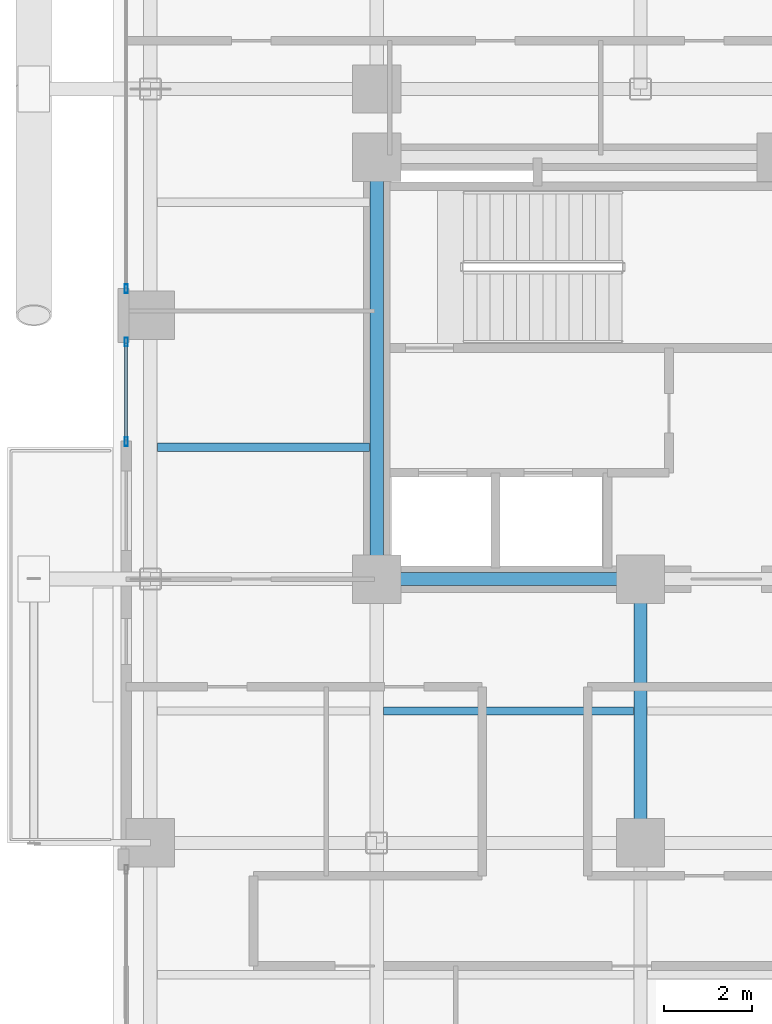
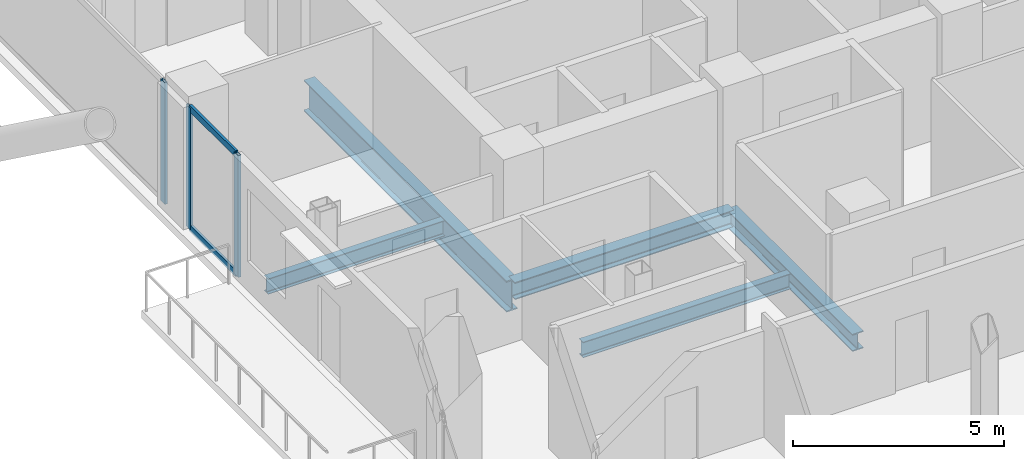
# One storey, part 6 of 24: 5 beams, 5 members, 2 elements without a shape of their own.
"""IFC4 building model written with IfcOpenShell, lengths in metres."""

import ifcopenshell
import ifcopenshell.guid

model = None  # the IFC model being written
_history = None  # IfcOwnerHistory: only IFC2X3 demands one
_inside = {}  # id of a spatial element -> (the spatial element, [elements in it])
_under = {}  # id of a project, library or spatial element -> (it, [spatial elements below it])
_declared = {}  # id of a project -> (the project, [libraries it declares])
_typed = {}  # id of a type object -> (the type object, [elements of that type])
_made_of = {}  # id of a material, layer set ... -> (it, [elements and type objects made of it])


def new_model(schema):
    """Start an empty IFC model of exactly this schema.

    Asked for "IFC4X3", IfcOpenShell would pick the latest addendum, in which some entities
    have other attributes; the version numbers below select the first issue.
    IFC2X3 requires an IfcOwnerHistory on every rooted entity: one is made here for all.
    """
    global model, _history
    if schema == "IFC4X3":
        model = ifcopenshell.file(schema_version=(4, 3, 0, 0))
    else:
        model = ifcopenshell.file(schema=schema)
    _inside.clear()
    _under.clear()
    _declared.clear()
    _typed.clear()
    _made_of.clear()
    _history = None
    if model.schema == "IFC2X3":
        org = make("IfcOrganization", Name="unknown")
        user = make(
            "IfcPersonAndOrganization",
            ThePerson=make("IfcPerson", FamilyName="unknown"),
            TheOrganization=org,
        )
        app = make(
            "IfcApplication",
            ApplicationDeveloper=org,
            Version="unknown",
            ApplicationFullName="unknown",
            ApplicationIdentifier="unknown",
        )
        _history = make(
            "IfcOwnerHistory",
            OwningUser=user,
            OwningApplication=app,
            ChangeAction="ADDED",
            CreationDate=0,
        )
    return model


def make(cls, **values):
    """One entity of the class cls with the attributes given. An attribute that is None is left unset."""
    return model.create_entity(
        cls, **{name: value for name, value in values.items() if value is not None}
    )


def rooted(cls, **values):
    """An entity with a GlobalId (a new one), such as an element, a storey or a relation."""
    return make(cls, GlobalId=ifcopenshell.guid.new(), OwnerHistory=_history, **values)


def si_unit(unit_type, name, prefix=None):
    """IfcSIUnit, for example si_unit("LENGTHUNIT", "METRE", prefix="MILLI")."""
    return make("IfcSIUnit", UnitType=unit_type, Prefix=prefix, Name=name)


def assignment(units):
    """IfcUnitAssignment: the units of a project."""
    return None if units is None else make("IfcUnitAssignment", Units=units)


def point(xyz):
    """IfcCartesianPoint."""
    return None if xyz is None else make("IfcCartesianPoint", Coordinates=xyz)


def direction(xyz):
    """IfcDirection."""
    return None if xyz is None else make("IfcDirection", DirectionRatios=xyz)


def frame(location, z_axis=None, x_axis=None):
    """IfcAxis2Placement3D, a coordinate frame: its origin and axes. An axis left out is left unset."""
    return make(
        "IfcAxis2Placement3D",
        Location=point(location),
        Axis=direction(z_axis),
        RefDirection=direction(x_axis),
    )


def frame_2d(location, x_axis=None):
    """IfcAxis2Placement2D, a coordinate frame in the plane: its origin and x axis."""
    return make(
        "IfcAxis2Placement2D", Location=point(location), RefDirection=direction(x_axis)
    )


def origin():
    """The frame at (0, 0, 0) with its axes left unset."""
    return frame((0.0, 0.0, 0.0))


def origin_2d():
    """The frame at (0, 0) in the plane with its x axis left unset."""
    return frame_2d((0.0, 0.0))


def place(relative_to, where):
    """IfcLocalPlacement: puts the frame where relative to a parent placement (None: the world)."""
    return make(
        "IfcLocalPlacement", PlacementRelTo=relative_to, RelativePlacement=where
    )


def context(
    kind, dimensions, precision=None, world=None, true_north=None, identifier=None
):
    """IfcGeometricRepresentationContext, for example the 3D "Model" context."""
    return make(
        "IfcGeometricRepresentationContext",
        ContextIdentifier=identifier,
        ContextType=kind,
        CoordinateSpaceDimension=dimensions,
        Precision=precision,
        WorldCoordinateSystem=world,
        TrueNorth=true_north,
    )


def subcontext(parent, identifier, kind, view, scale=None):
    """IfcGeometricRepresentationSubContext, for example "Body" below "Model"."""
    return make(
        "IfcGeometricRepresentationSubContext",
        ContextIdentifier=identifier,
        ContextType=kind,
        ParentContext=parent,
        TargetScale=scale,
        TargetView=view,
    )


def project(units=None, contexts=None):
    """IfcProject with its units and contexts."""
    return rooted(
        "IfcProject",
        Name="project",
        RepresentationContexts=contexts,
        UnitsInContext=assignment(units),
    )


def spatial(cls, under=None, at=None, **own):
    """A site, building, storey or space (cls), placed at a placement, below another one or the project."""
    s = rooted(cls, ObjectPlacement=at, **own)
    if under is not None:
        _under.setdefault(under.id(), (under, []))[1].append(s)
    return s


def profile(cls, at=None, kind="AREA", **sizes):
    """A parametric profile (cls). Its sizes go by their IFC names, for example OverallWidth=200.0."""
    return make(cls, ProfileType=kind, Position=at, **sizes)


def hollow_rectangle(**sizes):
    """IfcRectangleHollowProfileDef."""
    return profile("IfcRectangleHollowProfileDef", **sizes)


def i_section(**sizes):
    """IfcIShapeProfileDef."""
    return profile("IfcIShapeProfileDef", **sizes)


def extrude(swept, where, along, depth):
    """IfcExtrudedAreaSolid: the profile swept, set in the frame where, extruded along a direction by depth."""
    return make(
        "IfcExtrudedAreaSolid",
        SweptArea=swept,
        Position=where,
        ExtrudedDirection=direction(along),
        Depth=depth,
    )


def shape(context_of_items, identifier, shape_type, items):
    """IfcShapeRepresentation: the items that make up one representation, for example the "Body"."""
    return make(
        "IfcShapeRepresentation",
        ContextOfItems=context_of_items,
        RepresentationIdentifier=identifier,
        RepresentationType=shape_type,
        Items=items,
    )


def material(Name=None, Category=None):
    """IfcMaterial."""
    return make("IfcMaterial", Name=Name, Category=Category)


def layer(
    of_material, thickness, ventilated=None, Name=None, Category=None, Priority=None
):
    """IfcMaterialLayer: one layer of a wall or slab, of a material (None: an air gap)."""
    return make(
        "IfcMaterialLayer",
        Material=of_material,
        LayerThickness=thickness,
        IsVentilated=ventilated,
        Name=Name,
        Category=Category,
        Priority=Priority,
    )


def layer_set(layers, Name=None):
    """IfcMaterialLayerSet."""
    return make("IfcMaterialLayerSet", MaterialLayers=layers, LayerSetName=Name)


def material_profile(
    of_material, cross_section, Name=None, Category=None, Priority=None
):
    """IfcMaterialProfile: a cross section and its material."""
    return make(
        "IfcMaterialProfile",
        Name=Name,
        Material=of_material,
        Profile=cross_section,
        Priority=Priority,
        Category=Category,
    )


def profile_set(profiles, Name=None, composite=None):
    """IfcMaterialProfileSet."""
    return make(
        "IfcMaterialProfileSet",
        Name=Name,
        MaterialProfiles=profiles,
        CompositeProfile=composite,
    )


def made_of(thing, what):
    """Note that an element or type object is made of a material, layer set ...; save() writes the relation."""
    if what is not None:
        _made_of.setdefault(what.id(), (what, []))[1].append(thing)
    return thing


def type_object(cls, material=None, **own):
    """A type object (cls), such as IfcWallType, which elements share."""
    return made_of(rooted(cls, **own), material)


def element(
    cls,
    number,
    at=None,
    inside=None,
    cuts=None,
    type_object=None,
    material=None,
    context=None,
    identifier="Body",
    shape_type=None,
    held_by="IfcProductDefinitionShape",
    body=None,
    shapes=None,
    **own,
):
    """One element of the class cls, such as IfcWall. Its Tag is "e" and its number.

    at: its placement. inside: the storey or other place that contains it. cuts: it is an
    opening in that element (IfcRelVoidsElement). A single representation is given by context,
    identifier, shape_type and body (its items); several are given by shapes. held_by: the class
    of the entity that holds the representations. save() writes the other relations.
    """
    e = rooted(cls, Tag="e%d" % number, ObjectPlacement=at, **own)
    if body is not None:
        shapes = [shape(context, identifier, shape_type, body)]
    if shapes is not None:
        e.Representation = make(held_by, Representations=shapes)
    if inside is not None:
        _inside.setdefault(inside.id(), (inside, []))[1].append(e)
    if cuts is not None:
        rooted(
            "IfcRelVoidsElement", RelatingBuildingElement=cuts, RelatedOpeningElement=e
        )
    if type_object is not None:
        _typed.setdefault(type_object.id(), (type_object, []))[1].append(e)
    return made_of(e, material)


def aggregate(whole, parts):
    """IfcRelAggregates: a whole, such as a stair, and the parts it consists of."""
    return rooted("IfcRelAggregates", RelatingObject=whole, RelatedObjects=parts)


def save(model, path):
    """Write the relations noted so far, then the file.

    IfcRelAggregates (storeys below a building ...), IfcRelContainedInSpatialStructure (elements
    in a storey), IfcRelDefinesByType, IfcRelAssociatesMaterial and IfcRelDeclares: one each for
    every whole, place, type object, material and project.
    """
    for whole, parts in _under.values():
        aggregate(whole, parts)
    for where, things in _inside.values():
        rooted(
            "IfcRelContainedInSpatialStructure",
            RelatedElements=things,
            RelatingStructure=where,
        )
    for kind, things in _typed.values():
        rooted("IfcRelDefinesByType", RelatedObjects=things, RelatingType=kind)
    for what, things in _made_of.values():
        rooted("IfcRelAssociatesMaterial", RelatedObjects=things, RelatingMaterial=what)
    for by, libraries in _declared.values():
        rooted("IfcRelDeclares", RelatingContext=by, RelatedDefinitions=libraries)
    model.write(path)


model = new_model("IFC4")

# Units and contexts
model_context = context("Model", 3, precision=1e-05, world=origin(), true_north=direction((0.0, 1.0)))
body_context = subcontext(model_context, "Body", "Model", "MODEL_VIEW")
ifc_project = project(units=[si_unit("LENGTHUNIT", "METRE"), si_unit("AREAUNIT", "SQUARE_METRE"), si_unit("VOLUMEUNIT", "CUBIC_METRE"), si_unit("PLANEANGLEUNIT", "RADIAN"), si_unit("MASSUNIT", "GRAM", prefix="KILO"), si_unit("THERMODYNAMICTEMPERATUREUNIT", "KELVIN"), si_unit("POWERUNIT", "WATT")], contexts=[model_context])

# Site, building, storey
site_placement = place(None, origin())
site = spatial("IfcSite", under=ifc_project, at=site_placement, CompositionType="ELEMENT")
building_placement = place(site_placement, origin())
building = spatial("IfcBuilding", under=site, at=building_placement, Name="Svarakhadi Broadcast Tower", CompositionType="ELEMENT")
storey_placement = place(building_placement, frame((0.0, 0.0, 141.89990234375)))
storey = spatial("IfcBuildingStorey", under=building, at=storey_placement, Name="L34", CompositionType="ELEMENT", Elevation=141.89990234375)

# Beams
ifc_material_1 = material(Name="Steel S355J2 (IS 2062 E350C)", Category="steel")
ifc_material_profile_1 = material_profile(ifc_material_1, i_section(OverallWidth=0.18994140625, OverallDepth=0.449951171875, WebThickness=0.009521484375, FlangeThickness=0.0146484375, FilletRadius=0.02099609375, at=origin_2d()), Name="NPB 450x190x78")
ifc_profile_set_1 = profile_set([ifc_material_profile_1], Name="Steel S355J2 (IS 2062 E350C)")
beam_type_1 = type_object("IfcBeamType", Name="Beam_NPB450", PredefinedType="BEAM", material=ifc_profile_set_1)
beam_1_placement = place(storey_placement, frame((1.010009765625, 21.0, -0.449951171875), z_axis=(1.0, 0.0, 0.0), x_axis=(0.0, 1.0, 0.0)))
element("IfcBeam", 1, at=beam_1_placement, inside=storey, type_object=beam_type_1, Name="L34 Secondary Composite Beam SB003", PredefinedType="BEAM", context=body_context, shape_type="SweptSolid", body=[
    extrude(i_section(OverallWidth=0.18994140625, OverallDepth=0.449951171875, WebThickness=0.009521484375, FlangeThickness=0.0146484375, FilletRadius=0.02099609375, at=origin_2d()), origin(), (0.0, 0.0, 1.0), 4.830078125),
])
beam_2_placement = place(storey_placement, frame((6.159912109375, 15.0, -0.449951171875), z_axis=(1.0, 0.0, 0.0), x_axis=(0.0, 1.0, 0.0)))
element("IfcBeam", 2, at=beam_2_placement, inside=storey, type_object=beam_type_1, Name="L34 Secondary Composite Beam SB008", PredefinedType="BEAM", context=body_context, shape_type="SweptSolid", body=[
    extrude(i_section(OverallWidth=0.18994140625, OverallDepth=0.449951171875, WebThickness=0.009521484375, FlangeThickness=0.0146484375, FilletRadius=0.02099609375, at=origin_2d()), origin(), (0.0, 0.0, 1.0), 5.68017578125),
])

# Curtain wall, members
ifc_material_2 = material(Name="Anodised Bronze Aluminium AA 6063-T6", Category="aluminium")
ifc_layer = layer(ifc_material_2, 0.199951171875)
ifc_layer_set = layer_set([ifc_layer], Name="Anodised Bronze Aluminium AA 6063-T6")
curtain_wall_type = type_object("IfcCurtainWallType", Name="CW_Sys_03", PredefinedType="NOTDEFINED", material=ifc_layer_set)
curtain_wall_1_placement = place(storey_placement, origin())
curtain_wall_1 = element("IfcCurtainWall", 3, at=curtain_wall_1_placement, inside=storey, type_object=curtain_wall_type, Name="L34 West Curtain Wall 03 Bay 1", PredefinedType="NOTDEFINED")
ifc_material_profile_2 = material_profile(ifc_material_2, hollow_rectangle(XDim=0.074951171875, YDim=0.199951171875, WallThickness=0.005615234375, at=origin_2d()), Name="ALU MULLION 200x75x6")
ifc_profile_set_2 = profile_set([ifc_material_profile_2], Name="Anodised Bronze Aluminium AA 6063-T6")
member_type_1 = type_object("IfcMemberType", Name="CW_Sys_03_Mul", PredefinedType="MULLION", material=ifc_profile_set_2)
member_1_placement = place(storey_placement, frame((0.300048828125, 21.12744140625, 0.0), z_axis=(0.0, 0.0, 1.0), x_axis=(-1.0, 0.0, 0.0)))
member_1 = element("IfcMember", 4, at=member_1_placement, type_object=member_type_1, Name="CW-03 mullion 1", PredefinedType="MULLION", context=body_context, shape_type="SweptSolid", body=[
    extrude(hollow_rectangle(XDim=0.074951171875, YDim=0.199951171875, WallThickness=0.005615234375, at=origin_2d()), origin(), (0.0, 0.0, 1.0), 3.525146484375),
])
member_2_placement = place(storey_placement, frame((0.300048828125, 23.392578125, 0.0), z_axis=(0.0, 0.0, 1.0), x_axis=(-1.0, 0.0, 0.0)))
member_2 = element("IfcMember", 5, at=member_2_placement, type_object=member_type_1, Name="CW-03 mullion 2", PredefinedType="MULLION", context=body_context, shape_type="SweptSolid", body=[
    extrude(hollow_rectangle(XDim=0.074951171875, YDim=0.199951171875, WallThickness=0.005615234375, at=origin_2d()), origin(), (0.0, 0.0, 1.0), 3.525146484375),
])

# Curtain wall, member
curtain_wall_2_placement = place(storey_placement, origin())
curtain_wall_2 = element("IfcCurtainWall", 6, at=curtain_wall_2_placement, inside=storey, type_object=curtain_wall_type, Name="L34 West Curtain Wall 03 Bay 2", PredefinedType="NOTDEFINED")
member_3_placement = place(storey_placement, frame((0.300048828125, 24.607421875, 0.0), z_axis=(0.0, 0.0, 1.0), x_axis=(-1.0, 0.0, 0.0)))
member_3 = element("IfcMember", 7, at=member_3_placement, type_object=member_type_1, Name="CW-03 mullion 1", PredefinedType="MULLION", context=body_context, shape_type="SweptSolid", body=[
    extrude(hollow_rectangle(XDim=0.074951171875, YDim=0.199951171875, WallThickness=0.005615234375, at=origin_2d()), origin(), (0.0, 0.0, 1.0), 3.525146484375),
])
aggregate(curtain_wall_2, [member_3])

# Member
ifc_material_profile_3 = material_profile(ifc_material_2, hollow_rectangle(XDim=0.070068359375, YDim=0.18505859375, WallThickness=0.0048828125, at=origin_2d()), Name="ALU TRANSOM 185x70x5")
ifc_profile_set_3 = profile_set([ifc_material_profile_3], Name="Anodised Bronze Aluminium AA 6063-T6")
member_type_2 = type_object("IfcMemberType", Name="CW_Sys_03_Trn", PredefinedType="USERDEFINED", material=ifc_profile_set_3)
member_4_placement = place(storey_placement, frame((0.300048828125, 21.1650390625, 0.03515625), z_axis=(0.0, 1.0, 0.0), x_axis=(-1.0, 0.0, 0.0)))
member_4 = element("IfcMember", 8, at=member_4_placement, type_object=member_type_2, Name="CW-03 transom 1.1", ObjectType="TRANSOM", PredefinedType="USERDEFINED", context=body_context, shape_type="SweptSolid", body=[
    extrude(hollow_rectangle(XDim=0.070068359375, YDim=0.18505859375, WallThickness=0.0048828125, at=origin_2d()), origin(), (0.0, 0.0, 1.0), 2.18994140625),
])

member_5_placement = place(storey_placement, frame((0.300048828125, 21.1650390625, 3.489990234375), z_axis=(0.0, 1.0, 0.0), x_axis=(-1.0, 0.0, 0.0)))
member_5 = element("IfcMember", 9, at=member_5_placement, type_object=member_type_2, Name="CW-03 transom 1.2", ObjectType="TRANSOM", PredefinedType="USERDEFINED", context=body_context, shape_type="SweptSolid", body=[
    extrude(hollow_rectangle(XDim=0.070068359375, YDim=0.18505859375, WallThickness=0.0048828125, at=origin_2d()), origin(), (0.0, 0.0, 1.0), 2.18994140625),
])

aggregate(curtain_wall_1, [member_1, member_2, member_4, member_5])

# Beams
ifc_material_profile_4 = material_profile(ifc_material_1, i_section(OverallWidth=0.300048828125, OverallDepth=0.5, WebThickness=0.014404296875, FlangeThickness=0.028076171875, FilletRadius=0.027099609375, at=origin_2d()), Name="WPB 500x300x187")
ifc_profile_set_4 = profile_set([ifc_material_profile_4], Name="Steel S355J2 (IS 2062 E350C)")
beam_type_2 = type_object("IfcBeamType", Name="Girder_WPB500", PredefinedType="USERDEFINED", material=ifc_profile_set_4)
for number, where, z_axis, x_axis, name in (
    (10, (6.0, 18.0, -0.474853515625), (1.0, 0.0, 0.0), (0.0, 1.0, 0.0), "L34 Primary E-W Girder G024"),
    (11, (12.0, 12.0, -0.474853515625), (0.0, 1.0, 0.0), (-1.0, 0.0, 0.0), "L34 Primary N-S Girder G053"),
):
    element("IfcBeam", number, at=place(storey_placement, frame(where, z_axis=z_axis, x_axis=x_axis)), inside=storey, type_object=beam_type_2, Name=name, ObjectType="GIRDER", PredefinedType="USERDEFINED", context=body_context, shape_type="SweptSolid", body=[
        extrude(i_section(OverallWidth=0.300048828125, OverallDepth=0.5, WebThickness=0.014404296875, FlangeThickness=0.028076171875, FilletRadius=0.027099609375, at=origin_2d()), origin(), (0.0, 0.0, 1.0), 6.0),
    ])
ifc_material_3 = material(Name="Steel S460ML (IS 2062 E450BR)", Category="steel")
ifc_material_profile_5 = material_profile(ifc_material_3, i_section(OverallWidth=0.300048828125, OverallDepth=0.89990234375, WebThickness=0.0185546875, FlangeThickness=0.034912109375, FilletRadius=0.030029296875, at=origin_2d()), Name="WPB 900x300x291")
ifc_profile_set_5 = profile_set([ifc_material_profile_5], Name="Steel S460ML (IS 2062 E450BR)")
beam_type_3 = type_object("IfcBeamType", Name="Girder_WPB900", PredefinedType="USERDEFINED", material=ifc_profile_set_5)
beam_3_placement = place(storey_placement, frame((6.0, 18.0, -0.6748046875), z_axis=(0.0, 1.0, 0.0), x_axis=(-1.0, 0.0, 0.0)))
element("IfcBeam", 12, at=beam_3_placement, inside=storey, type_object=beam_type_3, Name="L34 Primary N-S Girder G048", ObjectType="GIRDER", PredefinedType="USERDEFINED", context=body_context, shape_type="SweptSolid", body=[
    extrude(i_section(OverallWidth=0.300048828125, OverallDepth=0.89990234375, WebThickness=0.0185546875, FlangeThickness=0.034912109375, FilletRadius=0.030029296875, at=origin_2d()), origin(), (0.0, 0.0, 1.0), 9.60009765625),
])

save(model, "model.ifc")
